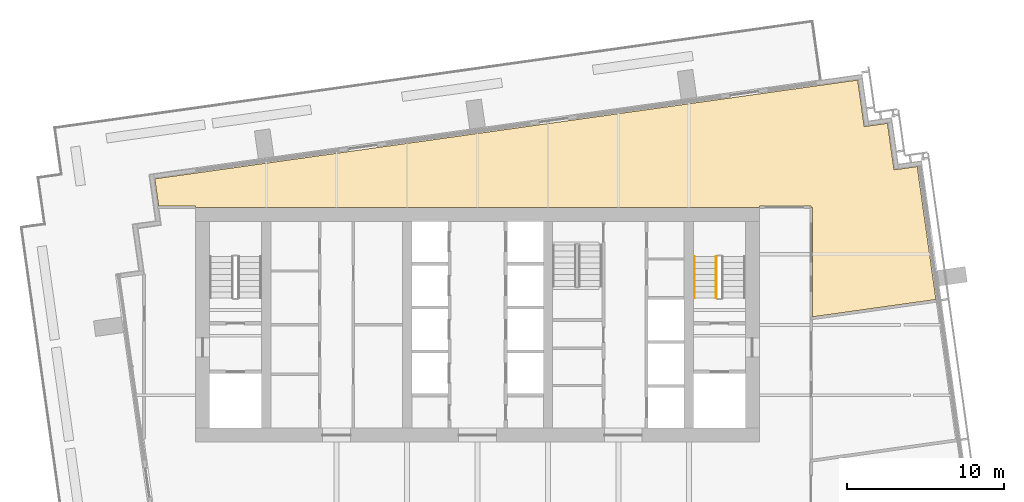
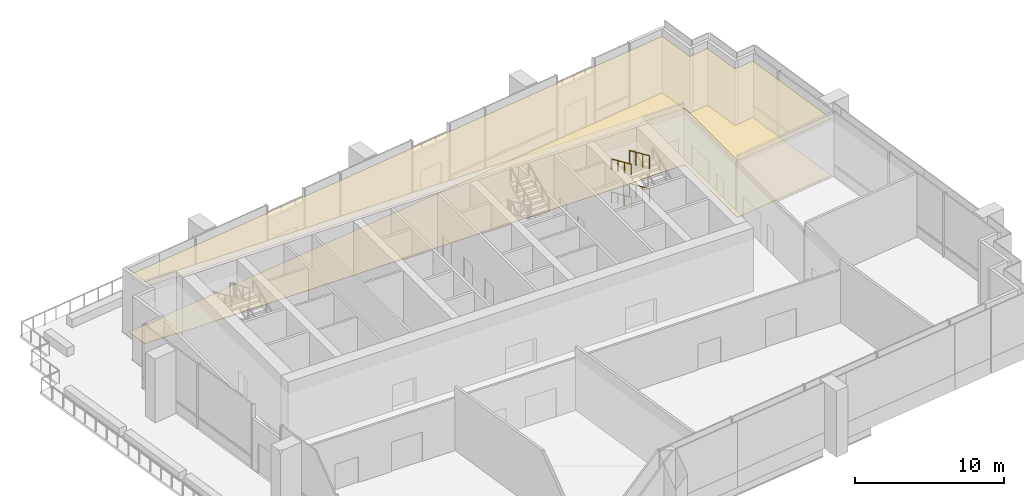
# One storey, part 17 of 18: 4 railings, 2 coverings.
"""IFC4 building model written with IfcOpenShell, lengths in metres."""

from ifc_helpers import new_model, si_unit, direction, frame, origin, origin_2d, place, context, subcontext, project, spatial, polyline, rectangle, outline, extrude, material, layer, layer_set, type_object, element, save


model = new_model("IFC4")

# Units and contexts
model_context = context("Model", 3, precision=1e-05, world=origin(), true_north=direction((0.0, 1.0)))
body_context = subcontext(model_context, "Body", "Model", "MODEL_VIEW")
ifc_project = project(units=[si_unit("LENGTHUNIT", "METRE"), si_unit("AREAUNIT", "SQUARE_METRE"), si_unit("VOLUMEUNIT", "CUBIC_METRE"), si_unit("PLANEANGLEUNIT", "RADIAN"), si_unit("MASSUNIT", "GRAM", prefix="KILO")], contexts=[model_context])

# Site, building, storey
site_placement = place(None, origin())
site = spatial("IfcSite", under=ifc_project, at=site_placement, CompositionType="ELEMENT")
building_placement = place(site_placement, origin())
building = spatial("IfcBuilding", under=site, at=building_placement, Name="Rattan Terrace Tower", CompositionType="ELEMENT")
storey_placement = place(building_placement, frame((0.0, 0.0, 208.10009765625)))
storey = spatial("IfcBuildingStorey", under=building, at=storey_placement, Name="L47", CompositionType="ELEMENT", Elevation=208.10009765625)

# Railings
ifc_material_1 = material(Name="Powder-coated steel guard", Category="steel")
railing_type_1 = type_object("IfcRailingType", Name="Core stair guard", PredefinedType="GUARDRAIL", material=ifc_material_1)
railing_1_placement = place(storey_placement, frame((15.25, 4.360107421875, 1.5185546875)))
element("IfcRailing", 1, at=railing_1_placement, inside=storey, type_object=railing_type_1, Name="L47 S2 stair guard 3", PredefinedType="GUARDRAIL", context=body_context, shape_type="SweptSolid", body=[
    extrude(rectangle(XDim=0.048095703125, YDim=0.048095703125, at=origin_2d()), frame((0.0, 0.0, 1.076171875), z_axis=(0.0, -0.913925654661, 0.405881630223), x_axis=(1.0, 0.0, 0.0)), (0.0, 0.0, 1.0), 2.91064453125),
    extrude(rectangle(XDim=0.0419921875, YDim=0.0419921875, at=origin_2d()), origin(), (0.0, 0.0, 1.0), 1.052001953125),
    extrude(rectangle(XDim=0.0419921875, YDim=0.0419921875, at=origin_2d()), frame((0.0, -0.88671875, 0.393798828125)), (0.0, 0.0, 1.0), 1.052001953125),
    extrude(rectangle(XDim=0.0419921875, YDim=0.0419921875, at=origin_2d()), frame((0.0, -1.7734375, 0.78759765625)), (0.0, 0.0, 1.0), 1.052001953125),
    extrude(rectangle(XDim=0.0419921875, YDim=0.0419921875, at=origin_2d()), frame((0.0, -2.66015625, 1.181396484375)), (0.0, 0.0, 1.0), 1.052001953125),
])
railing_2_placement = place(storey_placement, frame((15.25, 4.360107421875, 4.21875)))
element("IfcRailing", 2, at=railing_2_placement, inside=storey, type_object=railing_type_1, Name="L47 S2 stair guard 7", PredefinedType="GUARDRAIL", context=body_context, shape_type="SweptSolid", body=[
    extrude(rectangle(XDim=0.048095703125, YDim=0.048095703125, at=origin_2d()), frame((0.0, 0.0, 1.076171875), z_axis=(0.0, -0.913956766905, 0.405811567391), x_axis=(1.0, 0.0, 0.0)), (0.0, 0.0, 1.0), 2.91064453125),
    extrude(rectangle(XDim=0.0419921875, YDim=0.0419921875, at=origin_2d()), origin(), (0.0, 0.0, 1.0), 1.052001953125),
    extrude(rectangle(XDim=0.0419921875, YDim=0.0419921875, at=origin_2d()), frame((0.0, -0.88671875, 0.393798828125)), (0.0, 0.0, 1.0), 1.052001953125),
    extrude(rectangle(XDim=0.0419921875, YDim=0.0419921875, at=origin_2d()), frame((0.0, -1.7734375, 0.787353515625)), (0.0, 0.0, 1.0), 1.052001953125),
    extrude(rectangle(XDim=0.0419921875, YDim=0.0419921875, at=origin_2d()), frame((0.0, -2.66015625, 1.18115234375)), (0.0, 0.0, 1.0), 1.052001953125),
])
ifc_material_2 = material(Name="Powder-coated steel handrail", Category="steel")
railing_type_2 = type_object("IfcRailingType", Name="Core stair handrail", PredefinedType="HANDRAIL", material=ifc_material_2)
railing_3_placement = place(storey_placement, frame((13.85009765625, 4.360107421875, 1.5185546875)))
element("IfcRailing", 3, at=railing_3_placement, inside=storey, type_object=railing_type_2, Name="L47 S2 stair handrail 2", PredefinedType="HANDRAIL", context=body_context, shape_type="SweptSolid", body=[
    extrude(rectangle(XDim=0.048095703125, YDim=0.048095703125, at=origin_2d()), frame((0.0, 0.0, 0.8759765625), z_axis=(0.0, -0.913925654661, 0.405881630223), x_axis=(1.0, 0.0, 0.0)), (0.0, 0.0, 1.0), 2.91064453125),
    extrude(rectangle(XDim=0.0419921875, YDim=0.0419921875, at=origin_2d()), origin(), (0.0, 0.0, 1.0), 0.851806640625),
    extrude(rectangle(XDim=0.0419921875, YDim=0.0419921875, at=origin_2d()), frame((0.0, -0.88671875, 0.393798828125)), (0.0, 0.0, 1.0), 0.851806640625),
    extrude(rectangle(XDim=0.0419921875, YDim=0.0419921875, at=origin_2d()), frame((0.0, -1.7734375, 0.78759765625)), (0.0, 0.0, 1.0), 0.851806640625),
    extrude(rectangle(XDim=0.0419921875, YDim=0.0419921875, at=origin_2d()), frame((0.0, -2.66015625, 1.181396484375)), (0.0, 0.0, 1.0), 0.851806640625),
])
railing_4_placement = place(storey_placement, frame((13.85009765625, 4.360107421875, 4.21875)))
element("IfcRailing", 4, at=railing_4_placement, inside=storey, type_object=railing_type_2, Name="L47 S2 stair handrail 4", PredefinedType="HANDRAIL", context=body_context, shape_type="SweptSolid", body=[
    extrude(rectangle(XDim=0.048095703125, YDim=0.048095703125, at=origin_2d()), frame((0.0, 0.0, 0.8759765625), z_axis=(0.0, -0.913956766905, 0.405811567391), x_axis=(1.0, 0.0, 0.0)), (0.0, 0.0, 1.0), 2.91064453125),
    extrude(rectangle(XDim=0.0419921875, YDim=0.0419921875, at=origin_2d()), origin(), (0.0, 0.0, 1.0), 0.851806640625),
    extrude(rectangle(XDim=0.0419921875, YDim=0.0419921875, at=origin_2d()), frame((0.0, -0.88671875, 0.393798828125)), (0.0, 0.0, 1.0), 0.851806640625),
    extrude(rectangle(XDim=0.0419921875, YDim=0.0419921875, at=origin_2d()), frame((0.0, -1.7734375, 0.787353515625)), (0.0, 0.0, 1.0), 0.851806640625),
    extrude(rectangle(XDim=0.0419921875, YDim=0.0419921875, at=origin_2d()), frame((0.0, -2.66015625, 1.18115234375)), (0.0, 0.0, 1.0), 0.851806640625),
])

# Coverings
ifc_material_3 = material(Name="Polished limestone", Category="masonry")
ifc_layer_1 = layer(ifc_material_3, 0.02001953125)
ifc_layer_set_1 = layer_set([ifc_layer_1], Name="Lobby Floor Finish Stone 20")
covering_type_1 = type_object("IfcCoveringType", Name="Lobby Floor Finish Stone 20", PredefinedType="FLOORING", material=ifc_layer_set_1)
covering_1_placement = place(storey_placement, origin())
element("IfcCovering", 5, at=covering_1_placement, inside=storey, type_object=covering_type_1, Name="Floor finish L47-107", PredefinedType="FLOORING", context=body_context, shape_type="SweptSolid", body=[
    extrude(outline(polyline([(-17.971923828125, 9.68994140625), (-20.60595703125, 9.320068359375), (-20.35107421875, 7.5029296875), (-20.35107421875, 7.574951171875), (-18.0, 7.574951171875), (-18.0, 7.5), (18.0, 7.5), (18.0, 7.574951171875), (21.300048828125, 7.574951171875), (21.300048828125, 7.5), (21.375, 7.5), (21.375, 0.507080078125), (29.27099609375, 1.615966796875), (28.0791015625, 10.10302734375), (26.593994140625, 9.89404296875), (26.176025390625, 12.864990234375), (24.69091796875, 12.656005859375), (24.27294921875, 15.626953125), (21.637939453125, 15.257080078125), (18.85009765625, 14.864990234375), (15.284912109375, 14.364013671875), (-17.971923828125, 9.68994140625)])), origin(), (0.0, 0.0, 1.0), 0.02001953125),
])
ifc_material_4 = material(Name="Gypsum board, painted")
ifc_layer_2 = layer(ifc_material_4, 0.02490234375)
ifc_layer_set_2 = layer_set([ifc_layer_2], Name="Suspended Ceiling Gypsum 25")
covering_type_2 = type_object("IfcCoveringType", Name="Suspended Ceiling Gypsum 25", PredefinedType="CEILING", material=ifc_layer_set_2)
covering_2_placement = place(storey_placement, frame((0.0, 0.0, 4.625)))
element("IfcCovering", 6, at=covering_2_placement, inside=storey, type_object=covering_type_2, Name="Ceiling L47-107", PredefinedType="CEILING", context=body_context, shape_type="SweptSolid", body=[
    extrude(outline(polyline([(-17.971923828125, 9.68994140625), (-20.60595703125, 9.320068359375), (-20.35107421875, 7.5029296875), (-20.35107421875, 7.574951171875), (-18.0, 7.574951171875), (-18.0, 7.5), (18.0, 7.5), (18.0, 7.574951171875), (21.300048828125, 7.574951171875), (21.300048828125, 7.5), (21.375, 7.5), (21.375, 0.507080078125), (29.27099609375, 1.615966796875), (28.0791015625, 10.10302734375), (26.593994140625, 9.89404296875), (26.176025390625, 12.864990234375), (24.69091796875, 12.656005859375), (24.27294921875, 15.626953125), (21.637939453125, 15.257080078125), (18.85009765625, 14.864990234375), (15.284912109375, 14.364013671875), (-17.971923828125, 9.68994140625)])), origin(), (0.0, 0.0, 1.0), 0.02490234375),
])

save(model, "model.ifc")
